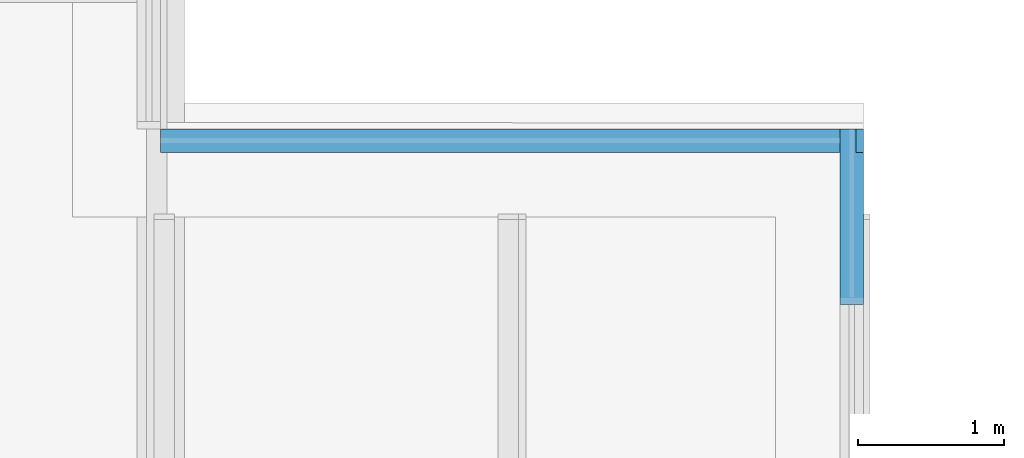
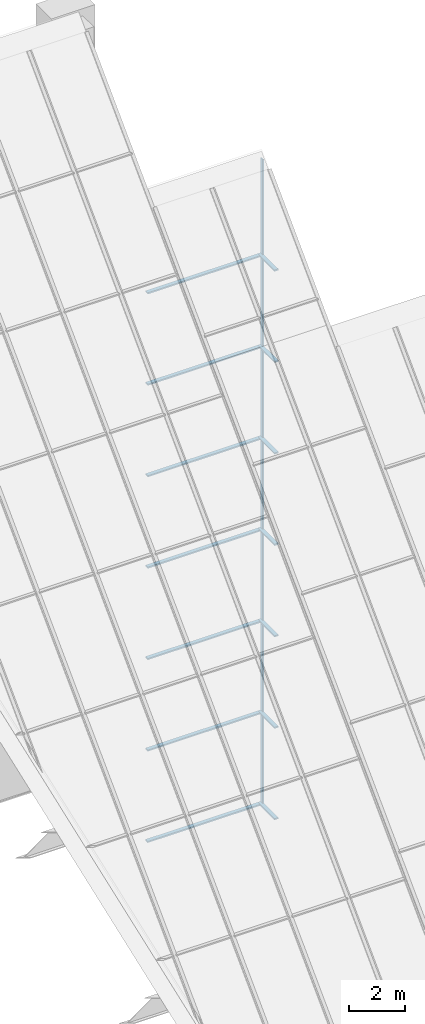
# One storey, part 16 of 25: 21 members, 14 elements without a shape of their own.
"""IFC4 building model written with IfcOpenShell, lengths in metres."""

from ifc_helpers import new_model, si_unit, direction, frame, origin, origin_2d, place, context, subcontext, project, spatial, rectangle, extrude, material, material_profile, profile_set, type_object, element, aggregate, save


model = new_model("IFC4")

# Units and contexts
model_context = context("Model", 3, precision=1e-05, world=origin(), true_north=direction((0.0, 1.0)))
body_context = subcontext(model_context, "Body", "Model", "MODEL_VIEW")
ifc_project = project(units=[si_unit("LENGTHUNIT", "METRE"), si_unit("AREAUNIT", "SQUARE_METRE"), si_unit("VOLUMEUNIT", "CUBIC_METRE"), si_unit("PLANEANGLEUNIT", "RADIAN"), si_unit("MASSUNIT", "GRAM", prefix="KILO")], contexts=[model_context])

# Site, building, storey
site_placement = place(None, origin())
site = spatial("IfcSite", under=ifc_project, at=site_placement, CompositionType="ELEMENT")
building_placement = place(site_placement, origin())
building = spatial("IfcBuilding", under=site, at=building_placement, Name="Baori Bourse Tower", CompositionType="ELEMENT")
storey_placement = place(building_placement, frame((0.0, 0.0, 378.300048828125)))
storey = spatial("IfcBuildingStorey", under=building, at=storey_placement, Name="Roof", CompositionType="ELEMENT", Elevation=378.300048828125)

# Curtain wall, member
ifc_material_1 = material(Name="Pale anodised aluminium", Category="aluminium")
curtain_wall_type = type_object("IfcCurtainWallType", Name="CW3 Curtain wall", PredefinedType="NOTDEFINED", material=ifc_material_1)
curtain_wall_1_placement = place(storey_placement, origin())
curtain_wall_1 = element("IfcCurtainWall", 1, at=curtain_wall_1_placement, inside=storey, type_object=curtain_wall_type, Name="Curtain wall CW3 Roof 27", PredefinedType="NOTDEFINED")
ifc_material_2 = material(Name="Pale anodised aluminium", Category="aluminium")
ifc_material_profile_1 = material_profile(ifc_material_2, rectangle(XDim=0.159912109375, YDim=0.050048828125, at=origin_2d()), Name="Mullion 50x160")
ifc_profile_set_1 = profile_set([ifc_material_profile_1], Name="Pale anodised aluminium")
member_type_1 = type_object("IfcMemberType", Name="CW3 Curtain wall mullion", PredefinedType="MULLION", material=ifc_profile_set_1)
member_1_placement = place(storey_placement, frame((43.175048828125, 43.1201171875, -0.18994140625), z_axis=(0.0, 0.0, 1.0), x_axis=(0.0, -1.0, 0.0)))
member_1 = element("IfcMember", 2, at=member_1_placement, type_object=member_type_1, Name="Curtain wall CW3 mullion", PredefinedType="MULLION", context=body_context, shape_type="SweptSolid", body=[
    extrude(rectangle(XDim=0.159912109375, YDim=0.050048828125, at=origin_2d()), origin(), (0.0, 0.0, 1.0), 3.93994140625),
])

curtain_wall_2_placement = place(storey_placement, origin())
curtain_wall_2 = element("IfcCurtainWall", 3, at=curtain_wall_2_placement, inside=storey, type_object=curtain_wall_type, Name="Curtain wall CW3 Roof 28", PredefinedType="NOTDEFINED")
member_2_placement = place(storey_placement, frame((43.175048828125, 43.1201171875, 3.81005859375), z_axis=(0.0, 0.0, 1.0), x_axis=(0.0, -1.0, 0.0)))
member_2 = element("IfcMember", 4, at=member_2_placement, type_object=member_type_1, Name="Curtain wall CW3 mullion", PredefinedType="MULLION", context=body_context, shape_type="SweptSolid", body=[
    extrude(rectangle(XDim=0.159912109375, YDim=0.050048828125, at=origin_2d()), origin(), (0.0, 0.0, 1.0), 3.93994140625),
])

curtain_wall_3_placement = place(storey_placement, origin())
curtain_wall_3 = element("IfcCurtainWall", 5, at=curtain_wall_3_placement, inside=storey, type_object=curtain_wall_type, Name="Curtain wall CW3 Roof 29", PredefinedType="NOTDEFINED")
member_3_placement = place(storey_placement, frame((43.175048828125, 43.1201171875, 7.81005859375), z_axis=(0.0, 0.0, 1.0), x_axis=(0.0, -1.0, 0.0)))
member_3 = element("IfcMember", 6, at=member_3_placement, type_object=member_type_1, Name="Curtain wall CW3 mullion", PredefinedType="MULLION", context=body_context, shape_type="SweptSolid", body=[
    extrude(rectangle(XDim=0.159912109375, YDim=0.050048828125, at=origin_2d()), origin(), (0.0, 0.0, 1.0), 3.93994140625),
])

curtain_wall_4_placement = place(storey_placement, origin())
curtain_wall_4 = element("IfcCurtainWall", 7, at=curtain_wall_4_placement, inside=storey, type_object=curtain_wall_type, Name="Curtain wall CW3 Roof 30", PredefinedType="NOTDEFINED")
member_4_placement = place(storey_placement, frame((43.175048828125, 43.1201171875, 11.81005859375), z_axis=(0.0, 0.0, 1.0), x_axis=(0.0, -1.0, 0.0)))
member_4 = element("IfcMember", 8, at=member_4_placement, type_object=member_type_1, Name="Curtain wall CW3 mullion", PredefinedType="MULLION", context=body_context, shape_type="SweptSolid", body=[
    extrude(rectangle(XDim=0.159912109375, YDim=0.050048828125, at=origin_2d()), origin(), (0.0, 0.0, 1.0), 3.93994140625),
])

curtain_wall_5_placement = place(storey_placement, origin())
curtain_wall_5 = element("IfcCurtainWall", 9, at=curtain_wall_5_placement, inside=storey, type_object=curtain_wall_type, Name="Curtain wall CW3 Roof 31", PredefinedType="NOTDEFINED")
member_5_placement = place(storey_placement, frame((43.175048828125, 43.1201171875, 15.81005859375), z_axis=(0.0, 0.0, 1.0), x_axis=(0.0, -1.0, 0.0)))
member_5 = element("IfcMember", 10, at=member_5_placement, type_object=member_type_1, Name="Curtain wall CW3 mullion", PredefinedType="MULLION", context=body_context, shape_type="SweptSolid", body=[
    extrude(rectangle(XDim=0.159912109375, YDim=0.050048828125, at=origin_2d()), origin(), (0.0, 0.0, 1.0), 3.93994140625),
])

curtain_wall_6_placement = place(storey_placement, origin())
curtain_wall_6 = element("IfcCurtainWall", 11, at=curtain_wall_6_placement, inside=storey, type_object=curtain_wall_type, Name="Curtain wall CW3 Roof 32", PredefinedType="NOTDEFINED")
member_6_placement = place(storey_placement, frame((43.175048828125, 43.1201171875, 19.81005859375), z_axis=(0.0, 0.0, 1.0), x_axis=(0.0, -1.0, 0.0)))
member_6 = element("IfcMember", 12, at=member_6_placement, type_object=member_type_1, Name="Curtain wall CW3 mullion", PredefinedType="MULLION", context=body_context, shape_type="SweptSolid", body=[
    extrude(rectangle(XDim=0.159912109375, YDim=0.050048828125, at=origin_2d()), origin(), (0.0, 0.0, 1.0), 3.93994140625),
])

curtain_wall_7_placement = place(storey_placement, origin())
curtain_wall_7 = element("IfcCurtainWall", 13, at=curtain_wall_7_placement, inside=storey, type_object=curtain_wall_type, Name="Curtain wall CW3 Roof 33", PredefinedType="NOTDEFINED")
member_7_placement = place(storey_placement, frame((43.175048828125, 43.1201171875, 23.81005859375), z_axis=(0.0, 0.0, 1.0), x_axis=(0.0, -1.0, 0.0)))
member_7 = element("IfcMember", 14, at=member_7_placement, type_object=member_type_1, Name="Curtain wall CW3 mullion", PredefinedType="MULLION", context=body_context, shape_type="SweptSolid", body=[
    extrude(rectangle(XDim=0.159912109375, YDim=0.050048828125, at=origin_2d()), origin(), (0.0, 0.0, 1.0), 4.159912109375),
])

curtain_wall_8_placement = place(storey_placement, origin())
curtain_wall_8 = element("IfcCurtainWall", 15, at=curtain_wall_8_placement, inside=storey, type_object=curtain_wall_type, Name="Curtain wall CW3 Roof 20", PredefinedType="NOTDEFINED")
ifc_material_3 = material(Name="Pale anodised aluminium", Category="aluminium")
ifc_material_profile_2 = material_profile(ifc_material_3, rectangle(XDim=0.159912109375, YDim=0.06005859375, at=origin_2d()), Name="Transom 60x160")
ifc_profile_set_2 = profile_set([ifc_material_profile_2], Name="Pale anodised aluminium")
member_type_2 = type_object("IfcMemberType", Name="CW3 Curtain wall transom", PredefinedType="USERDEFINED", material=ifc_profile_set_2)
member_8_placement = place(storey_placement, frame((43.1201171875, 42.0, -0.219970703125), z_axis=(0.0, 1.0, 0.0), x_axis=(-1.0, 0.0, 0.0)))
member_8 = element("IfcMember", 16, at=member_8_placement, type_object=member_type_2, Name="Curtain wall CW3 sill rail", ObjectType="TRANSOM", PredefinedType="USERDEFINED", context=body_context, shape_type="SweptSolid", body=[
    extrude(rectangle(XDim=0.159912109375, YDim=0.06005859375, at=origin_2d()), origin(), (0.0, 0.0, 1.0), 1.199951171875),
])
aggregate(curtain_wall_8, [member_8])

curtain_wall_9_placement = place(storey_placement, origin())
curtain_wall_9 = element("IfcCurtainWall", 17, at=curtain_wall_9_placement, inside=storey, type_object=curtain_wall_type, Name="Curtain wall CW3 Roof 21", PredefinedType="NOTDEFINED")
member_9_placement = place(storey_placement, frame((43.1201171875, 42.0, 3.780029296875), z_axis=(0.0, 1.0, 0.0), x_axis=(-1.0, 0.0, 0.0)))
member_9 = element("IfcMember", 18, at=member_9_placement, type_object=member_type_2, Name="Curtain wall CW3 sill rail", ObjectType="TRANSOM", PredefinedType="USERDEFINED", context=body_context, shape_type="SweptSolid", body=[
    extrude(rectangle(XDim=0.159912109375, YDim=0.06005859375, at=origin_2d()), origin(), (0.0, 0.0, 1.0), 1.199951171875),
])
aggregate(curtain_wall_9, [member_9])

curtain_wall_10_placement = place(storey_placement, origin())
curtain_wall_10 = element("IfcCurtainWall", 19, at=curtain_wall_10_placement, inside=storey, type_object=curtain_wall_type, Name="Curtain wall CW3 Roof 22", PredefinedType="NOTDEFINED")
member_10_placement = place(storey_placement, frame((43.1201171875, 42.0, 7.780029296875), z_axis=(0.0, 1.0, 0.0), x_axis=(-1.0, 0.0, 0.0)))
member_10 = element("IfcMember", 20, at=member_10_placement, type_object=member_type_2, Name="Curtain wall CW3 sill rail", ObjectType="TRANSOM", PredefinedType="USERDEFINED", context=body_context, shape_type="SweptSolid", body=[
    extrude(rectangle(XDim=0.159912109375, YDim=0.06005859375, at=origin_2d()), origin(), (0.0, 0.0, 1.0), 1.199951171875),
])
aggregate(curtain_wall_10, [member_10])

curtain_wall_11_placement = place(storey_placement, origin())
curtain_wall_11 = element("IfcCurtainWall", 21, at=curtain_wall_11_placement, inside=storey, type_object=curtain_wall_type, Name="Curtain wall CW3 Roof 23", PredefinedType="NOTDEFINED")
member_11_placement = place(storey_placement, frame((43.1201171875, 42.0, 11.780029296875), z_axis=(0.0, 1.0, 0.0), x_axis=(-1.0, 0.0, 0.0)))
member_11 = element("IfcMember", 22, at=member_11_placement, type_object=member_type_2, Name="Curtain wall CW3 sill rail", ObjectType="TRANSOM", PredefinedType="USERDEFINED", context=body_context, shape_type="SweptSolid", body=[
    extrude(rectangle(XDim=0.159912109375, YDim=0.06005859375, at=origin_2d()), origin(), (0.0, 0.0, 1.0), 1.199951171875),
])
aggregate(curtain_wall_11, [member_11])

curtain_wall_12_placement = place(storey_placement, origin())
curtain_wall_12 = element("IfcCurtainWall", 23, at=curtain_wall_12_placement, inside=storey, type_object=curtain_wall_type, Name="Curtain wall CW3 Roof 24", PredefinedType="NOTDEFINED")
member_12_placement = place(storey_placement, frame((43.1201171875, 42.0, 15.780029296875), z_axis=(0.0, 1.0, 0.0), x_axis=(-1.0, 0.0, 0.0)))
member_12 = element("IfcMember", 24, at=member_12_placement, type_object=member_type_2, Name="Curtain wall CW3 sill rail", ObjectType="TRANSOM", PredefinedType="USERDEFINED", context=body_context, shape_type="SweptSolid", body=[
    extrude(rectangle(XDim=0.159912109375, YDim=0.06005859375, at=origin_2d()), origin(), (0.0, 0.0, 1.0), 1.199951171875),
])
aggregate(curtain_wall_12, [member_12])

curtain_wall_13_placement = place(storey_placement, origin())
curtain_wall_13 = element("IfcCurtainWall", 25, at=curtain_wall_13_placement, inside=storey, type_object=curtain_wall_type, Name="Curtain wall CW3 Roof 25", PredefinedType="NOTDEFINED")
member_13_placement = place(storey_placement, frame((43.1201171875, 42.0, 19.780029296875), z_axis=(0.0, 1.0, 0.0), x_axis=(-1.0, 0.0, 0.0)))
member_13 = element("IfcMember", 26, at=member_13_placement, type_object=member_type_2, Name="Curtain wall CW3 sill rail", ObjectType="TRANSOM", PredefinedType="USERDEFINED", context=body_context, shape_type="SweptSolid", body=[
    extrude(rectangle(XDim=0.159912109375, YDim=0.06005859375, at=origin_2d()), origin(), (0.0, 0.0, 1.0), 1.199951171875),
])
aggregate(curtain_wall_13, [member_13])

curtain_wall_14_placement = place(storey_placement, origin())
curtain_wall_14 = element("IfcCurtainWall", 27, at=curtain_wall_14_placement, inside=storey, type_object=curtain_wall_type, Name="Curtain wall CW3 Roof 26", PredefinedType="NOTDEFINED")
member_14_placement = place(storey_placement, frame((43.1201171875, 42.0, 23.780029296875), z_axis=(0.0, 1.0, 0.0), x_axis=(-1.0, 0.0, 0.0)))
member_14 = element("IfcMember", 28, at=member_14_placement, type_object=member_type_2, Name="Curtain wall CW3 sill rail", ObjectType="TRANSOM", PredefinedType="USERDEFINED", context=body_context, shape_type="SweptSolid", body=[
    extrude(rectangle(XDim=0.159912109375, YDim=0.06005859375, at=origin_2d()), origin(), (0.0, 0.0, 1.0), 1.199951171875),
])
aggregate(curtain_wall_14, [member_14])

# Member
member_15_placement = place(storey_placement, frame((43.199951171875, 43.1201171875, -0.219970703125), z_axis=(-1.0, 0.0, 0.0), x_axis=(0.0, -1.0, 0.0)))
member_15 = element("IfcMember", 29, at=member_15_placement, type_object=member_type_2, Name="Curtain wall CW3 sill rail", ObjectType="TRANSOM", PredefinedType="USERDEFINED", context=body_context, shape_type="SweptSolid", body=[
    extrude(rectangle(XDim=0.159912109375, YDim=0.06005859375, at=origin_2d()), origin(), (0.0, 0.0, 1.0), 4.800048828125),
])

aggregate(curtain_wall_1, [member_15, member_1])

member_16_placement = place(storey_placement, frame((43.199951171875, 43.1201171875, 3.780029296875), z_axis=(-1.0, 0.0, 0.0), x_axis=(0.0, -1.0, 0.0)))
member_16 = element("IfcMember", 30, at=member_16_placement, type_object=member_type_2, Name="Curtain wall CW3 sill rail", ObjectType="TRANSOM", PredefinedType="USERDEFINED", context=body_context, shape_type="SweptSolid", body=[
    extrude(rectangle(XDim=0.159912109375, YDim=0.06005859375, at=origin_2d()), origin(), (0.0, 0.0, 1.0), 4.800048828125),
])

aggregate(curtain_wall_2, [member_16, member_2])

member_17_placement = place(storey_placement, frame((43.199951171875, 43.1201171875, 7.780029296875), z_axis=(-1.0, 0.0, 0.0), x_axis=(0.0, -1.0, 0.0)))
member_17 = element("IfcMember", 31, at=member_17_placement, type_object=member_type_2, Name="Curtain wall CW3 sill rail", ObjectType="TRANSOM", PredefinedType="USERDEFINED", context=body_context, shape_type="SweptSolid", body=[
    extrude(rectangle(XDim=0.159912109375, YDim=0.06005859375, at=origin_2d()), origin(), (0.0, 0.0, 1.0), 4.800048828125),
])

aggregate(curtain_wall_3, [member_17, member_3])

member_18_placement = place(storey_placement, frame((43.199951171875, 43.1201171875, 11.780029296875), z_axis=(-1.0, 0.0, 0.0), x_axis=(0.0, -1.0, 0.0)))
member_18 = element("IfcMember", 32, at=member_18_placement, type_object=member_type_2, Name="Curtain wall CW3 sill rail", ObjectType="TRANSOM", PredefinedType="USERDEFINED", context=body_context, shape_type="SweptSolid", body=[
    extrude(rectangle(XDim=0.159912109375, YDim=0.06005859375, at=origin_2d()), origin(), (0.0, 0.0, 1.0), 4.800048828125),
])

aggregate(curtain_wall_4, [member_18, member_4])

member_19_placement = place(storey_placement, frame((43.199951171875, 43.1201171875, 15.780029296875), z_axis=(-1.0, 0.0, 0.0), x_axis=(0.0, -1.0, 0.0)))
member_19 = element("IfcMember", 33, at=member_19_placement, type_object=member_type_2, Name="Curtain wall CW3 sill rail", ObjectType="TRANSOM", PredefinedType="USERDEFINED", context=body_context, shape_type="SweptSolid", body=[
    extrude(rectangle(XDim=0.159912109375, YDim=0.06005859375, at=origin_2d()), origin(), (0.0, 0.0, 1.0), 4.800048828125),
])

aggregate(curtain_wall_5, [member_19, member_5])

member_20_placement = place(storey_placement, frame((43.199951171875, 43.1201171875, 19.780029296875), z_axis=(-1.0, 0.0, 0.0), x_axis=(0.0, -1.0, 0.0)))
member_20 = element("IfcMember", 34, at=member_20_placement, type_object=member_type_2, Name="Curtain wall CW3 sill rail", ObjectType="TRANSOM", PredefinedType="USERDEFINED", context=body_context, shape_type="SweptSolid", body=[
    extrude(rectangle(XDim=0.159912109375, YDim=0.06005859375, at=origin_2d()), origin(), (0.0, 0.0, 1.0), 4.800048828125),
])

aggregate(curtain_wall_6, [member_20, member_6])

member_21_placement = place(storey_placement, frame((43.199951171875, 43.1201171875, 23.780029296875), z_axis=(-1.0, 0.0, 0.0), x_axis=(0.0, -1.0, 0.0)))
member_21 = element("IfcMember", 35, at=member_21_placement, type_object=member_type_2, Name="Curtain wall CW3 sill rail", ObjectType="TRANSOM", PredefinedType="USERDEFINED", context=body_context, shape_type="SweptSolid", body=[
    extrude(rectangle(XDim=0.159912109375, YDim=0.06005859375, at=origin_2d()), origin(), (0.0, 0.0, 1.0), 4.800048828125),
])

aggregate(curtain_wall_7, [member_21, member_7])

save(model, "model.ifc")
